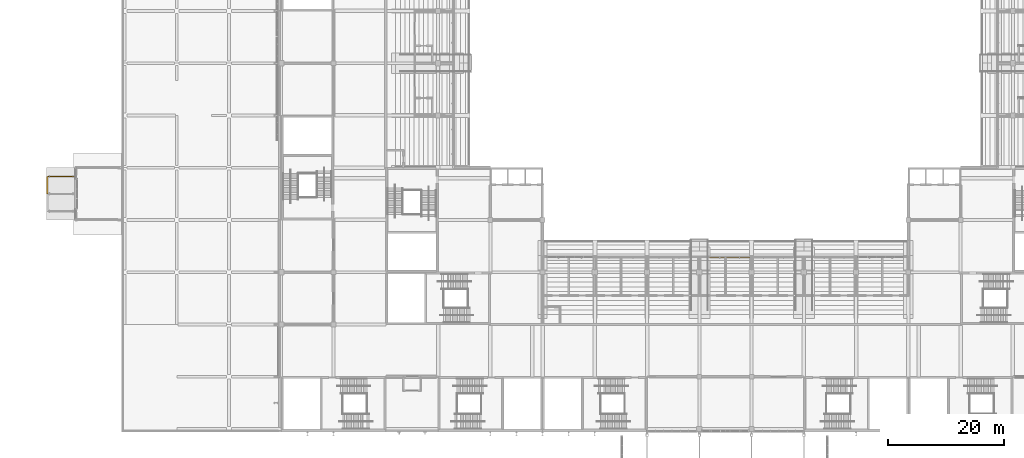
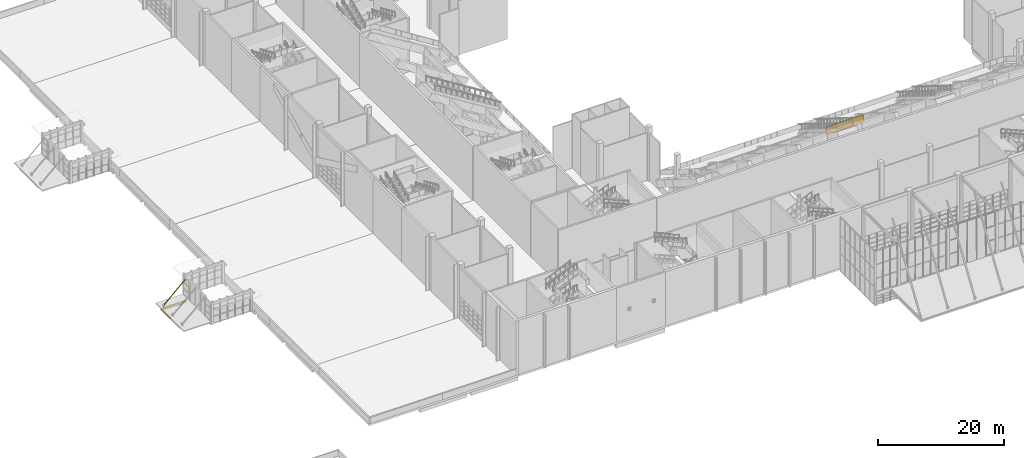
# One storey, part 146 of 182: 3 shading devices, 1 covering.
"""IFC4 building model written with IfcOpenShell, lengths in metres."""

from ifc_helpers import new_model, si_unit, direction, frame, origin, origin_2d, place, context, subcontext, project, spatial, polyline, hollow_rectangle, i_section, outline, extrude, material, layer, layer_set, material_profile, profile_set, type_object, element, save


model = new_model("IFC4")

# Units and contexts
model_context = context("Model", 3, precision=1e-05, world=origin(), true_north=direction((0.0, 1.0)))
body_context = subcontext(model_context, "Body", "Model", "MODEL_VIEW")
ifc_project = project(units=[si_unit("LENGTHUNIT", "METRE"), si_unit("AREAUNIT", "SQUARE_METRE"), si_unit("VOLUMEUNIT", "CUBIC_METRE"), si_unit("PLANEANGLEUNIT", "RADIAN"), si_unit("MASSUNIT", "GRAM", prefix="KILO")], contexts=[model_context])

# Site, building, storey
site_placement = place(None, origin())
site = spatial("IfcSite", under=ifc_project, at=site_placement, CompositionType="ELEMENT")
building_placement = place(site_placement, origin())
building = spatial("IfcBuilding", under=site, at=building_placement, Name="Silverbay Arena", CompositionType="ELEMENT")
storey_placement = place(building_placement, frame((0.0, 0.0, 11.5)))
storey = spatial("IfcBuildingStorey", under=building, at=storey_placement, Name="L02", CompositionType="ELEMENT", Elevation=11.5)

# Shading devices
ifc_material_1 = material(Name="Steel S355", Category="steel")
ifc_material_profile_1 = material_profile(ifc_material_1, i_section(OverallWidth=0.18994140625, OverallDepth=0.453369140625, WebThickness=0.008544921875, FlangeThickness=0.0126953125, at=origin_2d()), Name="UB 457x191x67")
ifc_profile_set_1 = profile_set([ifc_material_profile_1], Name="Steel S355")
shading_device_type_1 = type_object("IfcShadingDeviceType", Name="Canopy beam UB 457x191x67", PredefinedType="USERDEFINED", material=ifc_profile_set_1)
shading_device_1_placement = place(storey_placement, frame((18.35009765625, 61.5, 0.0732421875), z_axis=(-1.0, 0.0, 0.0), x_axis=(0.0, -1.0, 0.0)))
element("IfcShadingDevice", 1, at=shading_device_1_placement, inside=storey, type_object=shading_device_type_1, Name="West entrance hall W0 canopy beam 3", ObjectType="CANOPY FRAME", PredefinedType="USERDEFINED", context=body_context, shape_type="SweptSolid", body=[
    extrude(i_section(OverallWidth=0.18994140625, OverallDepth=0.453369140625, WebThickness=0.008544921875, FlangeThickness=0.0126953125, at=origin_2d()), origin(), (0.0, 0.0, 1.0), 4.550048828125),
])
ifc_material_2 = material(Name="Steel S355", Category="steel")
ifc_material_profile_2 = material_profile(ifc_material_2, hollow_rectangle(XDim=0.199951171875, YDim=0.300048828125, WallThickness=0.008056640625, at=origin_2d()), Name="RHS 300x200x8")
ifc_profile_set_2 = profile_set([ifc_material_profile_2], Name="Steel S355")
shading_device_type_2 = type_object("IfcShadingDeviceType", Name="Canopy edge beam RHS 300x200x8", PredefinedType="USERDEFINED", material=ifc_profile_set_2)
shading_device_2_placement = place(storey_placement, frame((13.699951171875, 58.5, 0.14990234375), z_axis=(0.0, 1.0, 0.0), x_axis=(-1.0, 0.0, 0.0)))
element("IfcShadingDevice", 2, at=shading_device_2_placement, inside=storey, type_object=shading_device_type_2, Name="West entrance hall W0 canopy edge beam 2", ObjectType="CANOPY FRAME", PredefinedType="USERDEFINED", context=body_context, shape_type="SweptSolid", body=[
    extrude(hollow_rectangle(XDim=0.199951171875, YDim=0.300048828125, WallThickness=0.008056640625, at=origin_2d()), origin(), (0.0, 0.0, 1.0), 3.0),
])
ifc_material_3 = material(Name="Steel S355", Category="steel")
ifc_material_profile_3 = material_profile(ifc_material_3, hollow_rectangle(XDim=0.1201171875, YDim=0.1201171875, WallThickness=0.00634765625, at=origin_2d()), Name="SHS 120x120x6.3")
ifc_profile_set_3 = profile_set([ifc_material_profile_3], Name="Steel S355")
shading_device_type_3 = type_object("IfcShadingDeviceType", Name="Canopy tie SHS 120x120x6.3", PredefinedType="USERDEFINED", material=ifc_profile_set_3)
shading_device_3_placement = place(storey_placement, frame((18.10009765625, 61.5, 4.35009765625), z_axis=(-0.734450066869, 0.0, -0.678662728663), x_axis=(0.0, -1.0, 0.0)))
element("IfcShadingDevice", 3, at=shading_device_3_placement, inside=storey, type_object=shading_device_type_3, Name="West entrance hall W0 canopy tie 3", ObjectType="CANOPY FRAME", PredefinedType="USERDEFINED", context=body_context, shape_type="SweptSolid", body=[
    extrude(hollow_rectangle(XDim=0.1201171875, YDim=0.1201171875, WallThickness=0.00634765625, at=origin_2d()), origin(), (0.0, 0.0, 1.0), 5.37841796875),
])

# Covering
ifc_material_4 = material(Name="Aluminium composite cladding", Category="aluminium")
ifc_layer = layer(ifc_material_4, 0.199951171875)
ifc_layer_set = layer_set([ifc_layer], Name="Aluminium composite cladding")
covering_type = type_object("IfcCoveringType", Name="Suite front fascia cladding 200", PredefinedType="CLADDING", material=ifc_layer_set)
covering_placement = place(storey_placement, frame((0.0, 0.0, 2.537109375)))
element("IfcCovering", 4, at=covering_placement, inside=storey, type_object=covering_type, Name="South suite front fascia 4", PredefinedType="CLADDING", context=body_context, shape_type="SweptSolid", body=[
    extrude(outline(polyline([(127.800048828125, 47.699951171875), (134.64990234375, 47.699951171875), (134.64990234375, 47.5), (127.800048828125, 47.5), (127.800048828125, 47.699951171875)])), origin(), (0.0, 0.0, 1.0), 1.496826171875),
])

save(model, "model.ifc")
